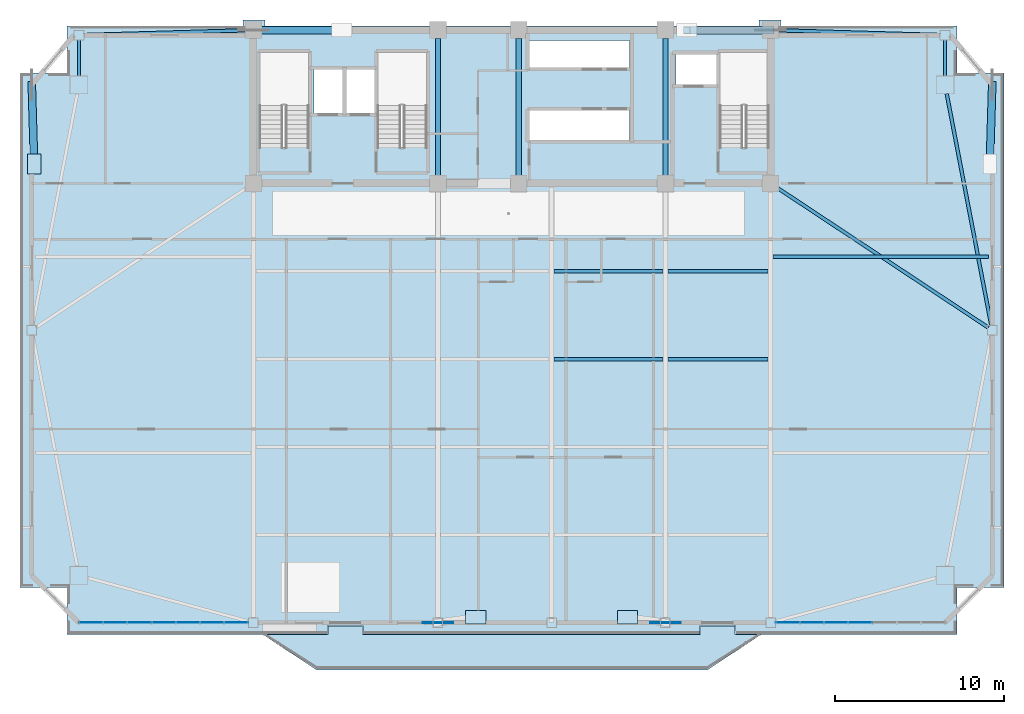
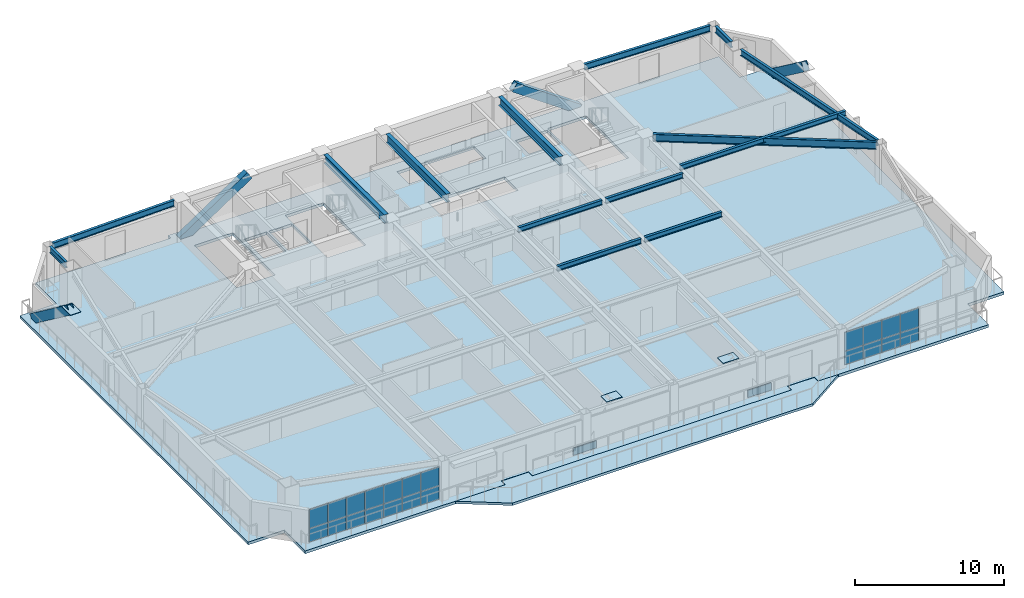
# One storey, part 7 of 17: 27 plates, 14 beams, 4 members, 2 slabs, 2 elements without a shape of their own.
"""IFC4 building model written with IfcOpenShell, lengths in metres."""

from ifc_helpers import new_model, si_unit, direction, frame, origin, origin_2d, place, context, subcontext, project, spatial, polyline, rectangle, hollow_rectangle, i_section, outline, extrude, source, transform, mapped, material, layer, layer_set, material_profile, profile_set, type_object, element, aggregate, save


model = new_model("IFC4")

# Units and contexts
model_context = context("Model", 3, precision=1e-05, world=origin(), true_north=direction((0.0, 1.0)))
body_context = subcontext(model_context, "Body", "Model", "MODEL_VIEW")
ifc_project = project(units=[si_unit("LENGTHUNIT", "METRE"), si_unit("AREAUNIT", "SQUARE_METRE"), si_unit("VOLUMEUNIT", "CUBIC_METRE"), si_unit("PLANEANGLEUNIT", "RADIAN"), si_unit("MASSUNIT", "GRAM", prefix="KILO")], contexts=[model_context])

# Site, building, storey
site_placement = place(None, origin())
site = spatial("IfcSite", under=ifc_project, at=site_placement, CompositionType="ELEMENT")
building_placement = place(site_placement, origin())
building = spatial("IfcBuilding", under=site, at=building_placement, Name="Giltprow Tower", CompositionType="ELEMENT")
storey_placement = place(building_placement, frame((0.0, 0.0, 202.699951171875)))
storey = spatial("IfcBuildingStorey", under=building, at=storey_placement, Name="L51", CompositionType="ELEMENT", Elevation=202.699951171875)

# Beams
ifc_material_1 = material(Name="Structural steel Q355B", Category="steel")
ifc_material_profile_1 = material_profile(ifc_material_1, i_section(OverallWidth=0.300048828125, OverallDepth=0.699951171875, WebThickness=0.012939453125, FlangeThickness=0.02392578125, at=origin_2d()), Name="HN 700x300x13x24")
ifc_profile_set_1 = profile_set([ifc_material_profile_1], Name="Structural steel Q355B")
beam_type_1 = type_object("IfcBeamType", Name="BM-GIRD-HN700", PredefinedType="BEAM", material=ifc_profile_set_1)
shared_shape_1 = source(origin(), body_context, "Body", "SweptSolid", [
    extrude(i_section(OverallWidth=0.300048828125, OverallDepth=0.699951171875, WebThickness=0.012939453125, FlangeThickness=0.02392578125, at=origin_2d()), origin(), (0.0, 0.0, 1.0), 8.1298828125),
])
for number, where, z_axis, x_axis, name in (
    (1, (30.800048828125, 37.93505859375, 2.920166015625), (0.0, 1.0, 0.0), (-1.0, 0.0, 0.0), "L51 Core Tie Girder M1"),
    (2, (35.60009765625, 37.93505859375, 2.920166015625), (0.0, 1.0, 0.0), (-1.0, 0.0, 0.0), "L51 Core Tie Girder M2"),
    (3, (44.300048828125, 37.93505859375, 2.920166015625), (0.0, 1.0, 0.0), (-1.0, 0.0, 0.0), "L51 Core Tie Girder M3"),
):
    element("IfcBeam", number, at=place(storey_placement, frame(where, z_axis=z_axis, x_axis=x_axis)), inside=storey, type_object=beam_type_1, Name=name, PredefinedType="BEAM", context=body_context, shape_type="MappedRepresentation", body=[
        mapped(shared_shape_1, transform((0.0, 0.0, 0.0), x_axis=(1.0, 0.0, 0.0), y_axis=(0.0, 1.0, 0.0), z_axis=(0.0, 0.0, 1.0), scale=1.0)),
    ])
ifc_material_profile_2 = material_profile(ifc_material_1, i_section(OverallWidth=0.199951171875, OverallDepth=0.5, WebThickness=0.010009765625, FlangeThickness=0.01611328125, at=origin_2d()), Name="HN 500x200x10x16")
ifc_profile_set_2 = profile_set([ifc_material_profile_2], Name="Structural steel Q355B")
beam_type_2 = type_object("IfcBeamType", Name="BM-SPAN-HN500", PredefinedType="SPANDREL", material=ifc_profile_set_2)
shared_shape_2 = source(origin(), body_context, "Body", "SweptSolid", [
    extrude(i_section(OverallWidth=0.199951171875, OverallDepth=0.5, WebThickness=0.010009765625, FlangeThickness=0.01611328125, at=origin_2d()), origin(), (0.0, 0.0, 1.0), 14.00390625),
])
beam_1_placement = place(storey_placement, frame((63.64404296875, 29.02294921875, 3.02001953125), z_axis=(-0.188875844444, 0.982000975247, 0.0), x_axis=(-0.982000975247, -0.188875844444, 0.0)))
element("IfcBeam", 4, at=beam_1_placement, inside=storey, type_object=beam_type_2, Name="L51 Perimeter Spandrel Beam E_MID-MC_NE", PredefinedType="SPANDREL", context=body_context, shape_type="MappedRepresentation", body=[
    mapped(shared_shape_2, transform((0.0, 0.0, 0.0), x_axis=(1.0, 0.0, 0.0), y_axis=(0.0, 1.0, 0.0), z_axis=(0.0, 0.0, 1.0), scale=1.0)),
])
shared_shape_3 = source(origin(), body_context, "Body", "SweptSolid", [
    extrude(i_section(OverallWidth=0.199951171875, OverallDepth=0.5, WebThickness=0.010009765625, FlangeThickness=0.01611328125, at=origin_2d()), origin(), (0.0, 0.0, 1.0), 2.130126953125),
])
for number, where, z_axis, x_axis, name in (
    (5, (60.89794921875, 43.8349609375, 3.02001953125), (0.0, 1.0, 0.0), (-1.0, 0.0, 0.0), "L51 Perimeter Spandrel Beam MC_NE-N_E"),
    (6, (9.5029296875, 45.965087890625, 3.02001953125), (0.0, -1.0, 0.0), (1.0, 0.0, 0.0), "L51 Perimeter Spandrel Beam N_W-MC_NW"),
):
    element("IfcBeam", number, at=place(storey_placement, frame(where, z_axis=z_axis, x_axis=x_axis)), inside=storey, type_object=beam_type_2, Name=name, PredefinedType="SPANDREL", context=body_context, shape_type="MappedRepresentation", body=[
        mapped(shared_shape_3, transform((0.0, 0.0, 0.0), x_axis=(1.0, 0.0, 0.0), y_axis=(0.0, 1.0, 0.0), z_axis=(0.0, 0.0, 1.0), scale=1.0)),
    ])
shared_shape_4 = source(origin(), body_context, "Body", "SweptSolid", [
    extrude(i_section(OverallWidth=0.199951171875, OverallDepth=0.5, WebThickness=0.010009765625, FlangeThickness=0.01611328125, at=origin_2d()), origin(), (0.0, 0.0, 1.0), 9.5810546875),
])
beam_2_placement = place(storey_placement, frame((9.7880859375, 46.258056640625, 3.02001953125), z_axis=(0.999579457094, 0.028998430218, 0.0), x_axis=(-0.028998430218, 0.999579457094, 0.0)))
element("IfcBeam", 7, at=beam_2_placement, inside=storey, type_object=beam_type_2, Name="L51 North Wing Spandrel W", PredefinedType="SPANDREL", context=body_context, shape_type="MappedRepresentation", body=[
    mapped(shared_shape_4, transform((0.0, 0.0, 0.0), x_axis=(1.0, 0.0, 0.0), y_axis=(0.0, 1.0, 0.0), z_axis=(0.0, 0.0, 1.0), scale=1.0)),
])
shared_shape_5 = source(origin(), body_context, "Body", "SweptSolid", [
    extrude(i_section(OverallWidth=0.199951171875, OverallDepth=0.5, WebThickness=0.010009765625, FlangeThickness=0.01611328125, at=origin_2d()), origin(), (0.0, 0.0, 1.0), 9.582275390625),
])
beam_3_placement = place(storey_placement, frame((51.034912109375, 46.535888671875, 3.02001953125), z_axis=(0.999579564214, -0.028994737563, 0.0), x_axis=(0.028994737563, 0.999579564214, 0.0)))
element("IfcBeam", 8, at=beam_3_placement, inside=storey, type_object=beam_type_2, Name="L51 North Wing Spandrel E", PredefinedType="SPANDREL", context=body_context, shape_type="MappedRepresentation", body=[
    mapped(shared_shape_5, transform((0.0, 0.0, 0.0), x_axis=(1.0, 0.0, 0.0), y_axis=(0.0, 1.0, 0.0), z_axis=(0.0, 0.0, 1.0), scale=1.0)),
])
ifc_material_profile_3 = material_profile(ifc_material_1, i_section(OverallWidth=0.199951171875, OverallDepth=0.60009765625, WebThickness=0.010986328125, FlangeThickness=0.01708984375, at=origin_2d()), Name="HN 600x200x11x17")
ifc_profile_set_3 = profile_set([ifc_material_profile_3], Name="Structural steel Q355B")
beam_type_3 = type_object("IfcBeamType", Name="BM-GIRD-HN600", PredefinedType="BEAM", material=ifc_profile_set_3)
shared_shape_6 = source(origin(), body_context, "Body", "SweptSolid", [
    extrude(i_section(OverallWidth=0.199951171875, OverallDepth=0.60009765625, WebThickness=0.010986328125, FlangeThickness=0.01708984375, at=origin_2d()), origin(), (0.0, 0.0, 1.0), 14.99951171875),
])
beam_4_placement = place(storey_placement, frame((63.4599609375, 28.89990234375, 2.969970703125), z_axis=(-0.833746652219, 0.552147190442, 0.0), x_axis=(-0.552147190442, -0.833746652219, 0.0)))
element("IfcBeam", 9, at=beam_4_placement, inside=storey, type_object=beam_type_3, Name="L51 East Wing Primary Girder", PredefinedType="BEAM", context=body_context, shape_type="MappedRepresentation", body=[
    mapped(shared_shape_6, transform((0.0, 0.0, 0.0), x_axis=(1.0, 0.0, 0.0), y_axis=(0.0, 1.0, 0.0), z_axis=(0.0, 0.0, 1.0), scale=1.0)),
])
ifc_material_profile_4 = material_profile(ifc_material_1, i_section(OverallWidth=0.199951171875, OverallDepth=0.39990234375, WebThickness=0.008056640625, FlangeThickness=0.012939453125, at=origin_2d()), Name="HN 400x200x8x13")
ifc_profile_set_4 = profile_set([ifc_material_profile_4], Name="Structural steel Q355B")
beam_type_4 = type_object("IfcBeamType", Name="BM-JOIST-HN400", PredefinedType="JOIST", material=ifc_profile_set_4)
shared_shape_7 = source(origin(), body_context, "Body", "SweptSolid", [
    extrude(i_section(OverallWidth=0.199951171875, OverallDepth=0.39990234375, WebThickness=0.008056640625, FlangeThickness=0.012939453125, at=origin_2d()), origin(), (0.0, 0.0, 1.0), 6.4599609375),
])
for number, where, z_axis, x_axis, name in (
    (10, (37.695068359375, 27.02392578125, 3.070068359375), (1.0, 0.0, 0.0), (0.0, 1.0, 0.0), "L51 Composite Floor Joist 3-3"),
    (11, (37.695068359375, 32.237060546875, 3.070068359375), (1.0, 0.0, 0.0), (0.0, 1.0, 0.0), "L51 Composite Floor Joist 4-3"),
):
    element("IfcBeam", number, at=place(storey_placement, frame(where, z_axis=z_axis, x_axis=x_axis)), inside=storey, type_object=beam_type_4, Name=name, PredefinedType="JOIST", context=body_context, shape_type="MappedRepresentation", body=[
        mapped(shared_shape_7, transform((0.0, 0.0, 0.0), x_axis=(1.0, 0.0, 0.0), y_axis=(0.0, 1.0, 0.0), z_axis=(0.0, 0.0, 1.0), scale=1.0)),
    ])
shared_shape_8 = source(origin(), body_context, "Body", "SweptSolid", [
    extrude(i_section(OverallWidth=0.199951171875, OverallDepth=0.39990234375, WebThickness=0.008056640625, FlangeThickness=0.012939453125, at=origin_2d()), origin(), (0.0, 0.0, 1.0), 5.9599609375),
])
for number, where, z_axis, x_axis, name in (
    (12, (44.445068359375, 27.02392578125, 3.070068359375), (1.0, 0.0, 0.0), (0.0, 1.0, 0.0), "L51 Composite Floor Joist 3-4"),
    (13, (44.445068359375, 32.237060546875, 3.070068359375), (1.0, 0.0, 0.0), (0.0, 1.0, 0.0), "L51 Composite Floor Joist 4-4"),
):
    element("IfcBeam", number, at=place(storey_placement, frame(where, z_axis=z_axis, x_axis=x_axis)), inside=storey, type_object=beam_type_4, Name=name, PredefinedType="JOIST", context=body_context, shape_type="MappedRepresentation", body=[
        mapped(shared_shape_8, transform((0.0, 0.0, 0.0), x_axis=(1.0, 0.0, 0.0), y_axis=(0.0, 1.0, 0.0), z_axis=(0.0, 0.0, 1.0), scale=1.0)),
    ])
shared_shape_9 = source(origin(), body_context, "Body", "SweptSolid", [
    extrude(i_section(OverallWidth=0.199951171875, OverallDepth=0.39990234375, WebThickness=0.008056640625, FlangeThickness=0.012939453125, at=origin_2d()), origin(), (0.0, 0.0, 1.0), 12.782958984375),
])
beam_5_placement = place(storey_placement, frame((50.695068359375, 33.095947265625, 3.070068359375), z_axis=(1.0, 0.0, 0.0), x_axis=(0.0, 1.0, 0.0)))
element("IfcBeam", 14, at=beam_5_placement, inside=storey, type_object=beam_type_4, Name="L51 East Wing Floor Joist 2", PredefinedType="JOIST", context=body_context, shape_type="MappedRepresentation", body=[
    mapped(shared_shape_9, transform((0.0, 0.0, 0.0), x_axis=(1.0, 0.0, 0.0), y_axis=(0.0, 1.0, 0.0), z_axis=(0.0, 0.0, 1.0), scale=1.0)),
])

# Members
ifc_material_2 = material(Name="Structural steel Q420GJC", Category="steel")
ifc_material_profile_5 = material_profile(ifc_material_2, hollow_rectangle(XDim=0.449951171875, YDim=0.699951171875, WallThickness=0.031982421875, at=origin_2d()), Name="RHS 700x450x32")
ifc_profile_set_5 = profile_set([ifc_material_profile_5], Name="Structural steel Q420GJC")
member_type = type_object("IfcMemberType", Name="MBR-MEGA-RHS700", PredefinedType="BRACE", material=ifc_profile_set_5)
shared_shape_10 = source(origin(), body_context, "Body", "SweptSolid", [
    extrude(hollow_rectangle(XDim=0.449951171875, YDim=0.699951171875, WallThickness=0.031982421875, at=origin_2d()), origin(), (0.0, 0.0, 1.0), 6.309814453125),
])
member_1_placement = place(storey_placement, frame((19.85009765625, 46.550048828125, -0.139892578125), z_axis=(0.832050294338, 0.0, 0.554700196225), x_axis=(0.0, 1.0, 0.0)))
element("IfcMember", 15, at=member_1_placement, inside=storey, type_object=member_type, Name="L51 Chevron Mega-Brace N-L", PredefinedType="BRACE", context=body_context, shape_type="MappedRepresentation", body=[
    mapped(shared_shape_10, transform((0.0, 0.0, 0.0), x_axis=(1.0, 0.0, 0.0), y_axis=(0.0, 1.0, 0.0), z_axis=(0.0, 0.0, 1.0), scale=1.0)),
])
shared_shape_11 = source(origin(), body_context, "Body", "SweptSolid", [
    extrude(hollow_rectangle(XDim=0.449951171875, YDim=0.699951171875, WallThickness=0.031982421875, at=origin_2d()), origin(), (0.0, 0.0, 1.0), 6.089599609375),
])
member_2_placement = place(storey_placement, frame((50.550048828125, 46.550048828125, -0.139892578125), z_axis=(-0.818321147337, 0.0, 0.574761254628), x_axis=(0.0, -1.0, 0.0)))
element("IfcMember", 16, at=member_2_placement, inside=storey, type_object=member_type, Name="L51 Chevron Mega-Brace N-R", PredefinedType="BRACE", context=body_context, shape_type="MappedRepresentation", body=[
    mapped(shared_shape_11, transform((0.0, 0.0, 0.0), x_axis=(1.0, 0.0, 0.0), y_axis=(0.0, 1.0, 0.0), z_axis=(0.0, 0.0, 1.0), scale=1.0)),
])
shared_shape_12 = source(origin(), body_context, "Body", "SweptSolid", [
    extrude(hollow_rectangle(XDim=0.449951171875, YDim=0.699951171875, WallThickness=0.031982421875, at=origin_2d()), origin(), (0.0, 0.0, 1.0), 5.859375),
])
for number, where, z_axis, x_axis, name in (
    (17, (6.702880859375, 43.300048828125, 0.0), (0.023583735141, -0.801638657896, 0.597343510556), (0.999567529909, 0.029406685479, 0.0), "L51 Chevron Mega-Brace W-R"),
    (18, (63.697998046875, 43.300048828125, 0.0), (-0.023708667192, -0.801636288399, 0.597341744918), (0.999562936284, -0.029562415445, 0.0), "L51 Chevron Mega-Brace E-R"),
):
    element("IfcMember", number, at=place(storey_placement, frame(where, z_axis=z_axis, x_axis=x_axis)), inside=storey, type_object=member_type, Name=name, PredefinedType="BRACE", context=body_context, shape_type="MappedRepresentation", body=[
        mapped(shared_shape_12, transform((0.0, 0.0, 0.0), x_axis=(1.0, 0.0, 0.0), y_axis=(0.0, 1.0, 0.0), z_axis=(0.0, 0.0, 1.0), scale=1.0)),
    ])

# Slabs
ifc_material_3 = material(Name="Concrete C40", Category="concrete")
ifc_layer_1 = layer(ifc_material_3, 0.199951171875, Name="Concrete C40")
ifc_layer_set_1 = layer_set([ifc_layer_1], Name="Concrete C40")
slab_type_1 = type_object("IfcSlabType", Name="SLB-BALC-BRONZE-200", PredefinedType="FLOOR", material=ifc_layer_set_1)
slab_1_placement = place(storey_placement, frame((0.0, 0.0, -0.199951171875)))
element("IfcSlab", 19, at=slab_1_placement, inside=storey, type_object=slab_type_1, Name="L51 Bronze Prow Waterfront Balcony Slab", PredefinedType="FLOOR", context=body_context, shape_type="SweptSolid", body=[
    extrude(outline(polyline([(50.0, 10.68603515625), (46.800048828125, 8.5859375), (23.60009765625, 8.5859375), (20.39990234375, 10.68603515625), (24.280029296875, 10.68603515625), (24.280029296875, 11.18603515625), (26.320068359375, 11.18603515625), (26.320068359375, 10.68603515625), (46.3798828125, 10.68603515625), (46.3798828125, 11.18603515625), (48.419921875, 11.18603515625), (48.419921875, 10.68603515625), (50.0, 10.68603515625)])), origin(), (0.0, 0.0, 1.0), 0.199951171875),
])
ifc_layer_2 = layer(ifc_material_3, 0.22998046875, Name="Concrete C40")
ifc_layer_set_2 = layer_set([ifc_layer_2], Name="Concrete C40")
slab_type_2 = type_object("IfcSlabType", Name="SLB-HTL-230", PredefinedType="FLOOR", material=ifc_layer_set_2)
slab_2_placement = place(storey_placement, frame((0.0, 0.0, -0.22998046875)))
element("IfcSlab", 20, at=slab_2_placement, inside=storey, type_object=slab_type_2, Name="L51 Structural Composite Floor Slab", PredefinedType="FLOOR", context=body_context, shape_type="SweptSolid", body=[
    extrude(outline(polyline([(64.39794921875, 44.0), (64.39794921875, 13.486083984375), (61.597900390625, 13.486083984375), (61.597900390625, 10.68603515625), (48.449951171875, 10.68603515625), (48.449951171875, 11.2060546875), (46.35009765625, 11.2060546875), (46.35009765625, 10.68603515625), (26.35009765625, 10.68603515625), (26.35009765625, 11.2060546875), (24.25, 11.2060546875), (24.25, 10.68603515625), (8.802978515625, 10.68603515625), (8.802978515625, 13.486083984375), (6.0029296875, 13.486083984375), (6.0029296875, 44.0), (8.802978515625, 44.0), (8.802978515625, 46.800048828125), (19.25, 46.800048828125), (19.25, 47.14990234375), (20.550048828125, 47.14990234375), (20.550048828125, 46.800048828125), (49.85009765625, 46.800048828125), (49.85009765625, 47.14990234375), (51.14990234375, 47.14990234375), (51.14990234375, 46.800048828125), (61.597900390625, 46.800048828125), (61.597900390625, 44.0), (64.39794921875, 44.0)]), holes=[polyline([(42.169921875, 41.800048828125), (36.239990234375, 41.800048828125), (36.239990234375, 40.0), (42.169921875, 40.0), (42.169921875, 41.800048828125)]), polyline([(23.159912109375, 39.570068359375), (23.159912109375, 45.25), (20.199951171875, 45.25), (20.199951171875, 39.570068359375), (23.159912109375, 39.570068359375)]), polyline([(30.159912109375, 39.570068359375), (30.159912109375, 45.25), (27.199951171875, 45.25), (27.199951171875, 39.570068359375), (30.159912109375, 39.570068359375)]), polyline([(50.4599609375, 45.25), (47.5, 45.25), (47.5, 39.570068359375), (50.4599609375, 39.570068359375), (50.4599609375, 45.25)]), polyline([(25.169921875, 44.199951171875), (23.449951171875, 44.199951171875), (23.449951171875, 41.60009765625), (25.169921875, 41.60009765625), (25.169921875, 44.199951171875)]), polyline([(27.10009765625, 44.199951171875), (25.35009765625, 44.199951171875), (25.35009765625, 41.60009765625), (27.10009765625, 41.60009765625), (27.10009765625, 44.199951171875)]), polyline([(47.3798828125, 43.300048828125), (47.3798828125, 45.10009765625), (44.919921875, 45.10009765625), (44.919921875, 43.300048828125), (47.3798828125, 43.300048828125)]), polyline([(42.169921875, 44.300048828125), (42.169921875, 45.919921875), (36.239990234375, 45.919921875), (36.239990234375, 44.300048828125), (42.169921875, 44.300048828125)])]), origin(), (0.0, 0.0, 1.0), 0.22998046875),
])

# Plates
plate_type_1 = type_object("IfcPlateType", Name="PLT-NODE-MBN1", PredefinedType="USERDEFINED", material=ifc_material_2)
shared_shape_13 = source(origin(), body_context, "Body", "SweptSolid", [
    extrude(rectangle(XDim=1.800048828125, YDim=0.050048828125, at=origin_2d()), origin(), (0.0, 0.0, 1.0), 1.14990234375),
])
for number, where, z_axis, x_axis, name in (
    (21, (30.800048828125, 11.385986328125, -0.574951171875), (0.0, 0.0, 1.0), (1.0, 0.0, 0.0), "Mega-Brace Node L51-S-LA"),
    (22, (44.300048828125, 11.385986328125, -0.574951171875), (0.0, 0.0, 1.0), (1.0, 0.0, 0.0), "Mega-Brace Node L51-S-RA"),
):
    element("IfcPlate", number, at=place(storey_placement, frame(where, z_axis=z_axis, x_axis=x_axis)), inside=storey, type_object=plate_type_1, Name=name, ObjectType="GUSSET", PredefinedType="USERDEFINED", context=body_context, shape_type="MappedRepresentation", body=[
        mapped(shared_shape_13, transform((0.0, 0.0, 0.0), x_axis=(1.0, 0.0, 0.0), y_axis=(0.0, 1.0, 0.0), z_axis=(0.0, 0.0, 1.0), scale=1.0)),
    ])
plate_type_2 = type_object("IfcPlateType", Name="PLT-CAP-SEAL", PredefinedType="USERDEFINED", material=ifc_material_2)
shared_shape_14 = source(origin(), body_context, "Body", "SweptSolid", [
    extrude(rectangle(XDim=1.199951171875, YDim=0.800048828125, at=origin_2d()), origin(), (0.0, 0.0, 1.0), 0.034912109375),
])
for number, where, z_axis, x_axis, name in (
    (23, (33.050048828125, 11.697021484375, 3.482421875), (0.0, 0.0, 1.0), (1.0, 0.0, 0.0), "Mega-Brace Node L51-S-LB"),
    (24, (42.050048828125, 11.697021484375, 3.482421875), (0.0, 0.0, 1.0), (1.0, 0.0, 0.0), "Mega-Brace Node L51-S-RB"),
    (25, (6.841064453125, 38.60302734375, 3.482421875), (0.0, 0.0, 1.0), (0.0, 1.0, 0.0), "Mega-Brace Node L51-W-RB"),
):
    element("IfcPlate", number, at=place(storey_placement, frame(where, z_axis=z_axis, x_axis=x_axis)), inside=storey, type_object=plate_type_2, Name=name, ObjectType="SPLICE", PredefinedType="USERDEFINED", context=body_context, shape_type="MappedRepresentation", body=[
        mapped(shared_shape_14, transform((0.0, 0.0, 0.0), x_axis=(1.0, 0.0, 0.0), y_axis=(0.0, 1.0, 0.0), z_axis=(0.0, 0.0, 1.0), scale=1.0)),
    ])

# Curtain wall, plates
ifc_material_4 = material(Name="Anodized bronze", Category="metal")
ifc_layer_3 = layer(ifc_material_4, 0.179931640625, Name="Anodized bronze")
ifc_layer_set_3 = layer_set([ifc_layer_3], Name="Anodized bronze")
curtain_wall_type = type_object("IfcCurtainWallType", Name="CW-HTL-BRONZE", PredefinedType="NOTDEFINED", material=ifc_layer_set_3)
curtain_wall_1_placement = place(storey_placement, origin())
curtain_wall_1 = element("IfcCurtainWall", 26, at=curtain_wall_1_placement, inside=storey, type_object=curtain_wall_type, Name="L51 South Recessed Curtain Wall 1", PredefinedType="NOTDEFINED")
ifc_material_5 = material(Name="Insulated glass", Category="glass")
plate_type_3 = type_object("IfcPlateType", Name="CW-PANEL-IGU-28", PredefinedType="CURTAIN_PANEL", material=ifc_material_5)
shared_shape_15 = source(origin(), body_context, "Body", "SweptSolid", [
    extrude(rectangle(XDim=1.405029296875, YDim=0.028076171875, at=origin_2d()), origin(), (0.0, 0.0, 1.0), 1.0869140625),
])
plate_1_placement = place(storey_placement, frame((10.220947265625, 11.385986328125, 0.0546875), z_axis=(0.0, 0.0, 1.0), x_axis=(1.0, 0.0, 0.0)))
plate_1 = element("IfcPlate", 27, at=plate_1_placement, type_object=plate_type_3, Name="L51 South Recessed Curtain Wall 1 Glazing Panel 1-1", PredefinedType="CURTAIN_PANEL", context=body_context, shape_type="MappedRepresentation", body=[
    mapped(shared_shape_15, transform((0.0, 0.0, 0.0), x_axis=(1.0, 0.0, 0.0), y_axis=(0.0, 1.0, 0.0), z_axis=(0.0, 0.0, 1.0), scale=1.0)),
])
plate_2_placement = place(storey_placement, frame((11.656005859375, 11.385986328125, 0.0546875), z_axis=(0.0, 0.0, 1.0), x_axis=(1.0, 0.0, 0.0)))
plate_2 = element("IfcPlate", 28, at=plate_2_placement, type_object=plate_type_3, Name="L51 South Recessed Curtain Wall 1 Glazing Panel 2-1", PredefinedType="CURTAIN_PANEL", context=body_context, shape_type="MappedRepresentation", body=[
    mapped(shared_shape_15, transform((0.0, 0.0, 0.0), x_axis=(1.0, 0.0, 0.0), y_axis=(0.0, 1.0, 0.0), z_axis=(0.0, 0.0, 1.0), scale=1.0)),
])
plate_3_placement = place(storey_placement, frame((13.091064453125, 11.385986328125, 0.0546875), z_axis=(0.0, 0.0, 1.0), x_axis=(1.0, 0.0, 0.0)))
plate_3 = element("IfcPlate", 29, at=plate_3_placement, type_object=plate_type_3, Name="L51 South Recessed Curtain Wall 1 Glazing Panel 3-1", PredefinedType="CURTAIN_PANEL", context=body_context, shape_type="MappedRepresentation", body=[
    mapped(shared_shape_15, transform((0.0, 0.0, 0.0), x_axis=(1.0, 0.0, 0.0), y_axis=(0.0, 1.0, 0.0), z_axis=(0.0, 0.0, 1.0), scale=1.0)),
])
plate_4_placement = place(storey_placement, frame((14.527099609375, 11.385986328125, 0.0546875), z_axis=(0.0, 0.0, 1.0), x_axis=(1.0, 0.0, 0.0)))
plate_4 = element("IfcPlate", 30, at=plate_4_placement, type_object=plate_type_3, Name="L51 South Recessed Curtain Wall 1 Glazing Panel 4-1", PredefinedType="CURTAIN_PANEL", context=body_context, shape_type="MappedRepresentation", body=[
    mapped(shared_shape_15, transform((0.0, 0.0, 0.0), x_axis=(1.0, 0.0, 0.0), y_axis=(0.0, 1.0, 0.0), z_axis=(0.0, 0.0, 1.0), scale=1.0)),
])
plate_5_placement = place(storey_placement, frame((15.9619140625, 11.385986328125, 0.0546875), z_axis=(0.0, 0.0, 1.0), x_axis=(1.0, 0.0, 0.0)))
plate_5 = element("IfcPlate", 31, at=plate_5_placement, type_object=plate_type_3, Name="L51 South Recessed Curtain Wall 1 Glazing Panel 5-1", PredefinedType="CURTAIN_PANEL", context=body_context, shape_type="MappedRepresentation", body=[
    mapped(shared_shape_15, transform((0.0, 0.0, 0.0), x_axis=(1.0, 0.0, 0.0), y_axis=(0.0, 1.0, 0.0), z_axis=(0.0, 0.0, 1.0), scale=1.0)),
])
plate_6_placement = place(storey_placement, frame((17.39697265625, 11.385986328125, 0.0546875), z_axis=(0.0, 0.0, 1.0), x_axis=(1.0, 0.0, 0.0)))
plate_6 = element("IfcPlate", 32, at=plate_6_placement, type_object=plate_type_3, Name="L51 South Recessed Curtain Wall 1 Glazing Panel 6-1", PredefinedType="CURTAIN_PANEL", context=body_context, shape_type="MappedRepresentation", body=[
    mapped(shared_shape_15, transform((0.0, 0.0, 0.0), x_axis=(1.0, 0.0, 0.0), y_axis=(0.0, 1.0, 0.0), z_axis=(0.0, 0.0, 1.0), scale=1.0)),
])
plate_7_placement = place(storey_placement, frame((18.83203125, 11.385986328125, 0.0546875), z_axis=(0.0, 0.0, 1.0), x_axis=(1.0, 0.0, 0.0)))
plate_7 = element("IfcPlate", 33, at=plate_7_placement, type_object=plate_type_3, Name="L51 South Recessed Curtain Wall 1 Glazing Panel 7-1", PredefinedType="CURTAIN_PANEL", context=body_context, shape_type="MappedRepresentation", body=[
    mapped(shared_shape_15, transform((0.0, 0.0, 0.0), x_axis=(1.0, 0.0, 0.0), y_axis=(0.0, 1.0, 0.0), z_axis=(0.0, 0.0, 1.0), scale=1.0)),
])

curtain_wall_2_placement = place(storey_placement, origin())
curtain_wall_2 = element("IfcCurtainWall", 34, at=curtain_wall_2_placement, inside=storey, type_object=curtain_wall_type, Name="L51 South Recessed Curtain Wall 6", PredefinedType="NOTDEFINED")
plate_8_placement = place(storey_placement, frame((51.568115234375, 11.385986328125, 0.0546875), z_axis=(0.0, 0.0, 1.0), x_axis=(1.0, 0.0, 0.0)))
plate_8 = element("IfcPlate", 35, at=plate_8_placement, type_object=plate_type_3, Name="L51 South Recessed Curtain Wall 6 Glazing Panel 1-1", PredefinedType="CURTAIN_PANEL", context=body_context, shape_type="MappedRepresentation", body=[
    mapped(shared_shape_15, transform((0.0, 0.0, 0.0), x_axis=(1.0, 0.0, 0.0), y_axis=(0.0, 1.0, 0.0), z_axis=(0.0, 0.0, 1.0), scale=1.0)),
])
plate_9_placement = place(storey_placement, frame((53.0029296875, 11.385986328125, 0.0546875), z_axis=(0.0, 0.0, 1.0), x_axis=(1.0, 0.0, 0.0)))
plate_9 = element("IfcPlate", 36, at=plate_9_placement, type_object=plate_type_3, Name="L51 South Recessed Curtain Wall 6 Glazing Panel 2-1", PredefinedType="CURTAIN_PANEL", context=body_context, shape_type="MappedRepresentation", body=[
    mapped(shared_shape_15, transform((0.0, 0.0, 0.0), x_axis=(1.0, 0.0, 0.0), y_axis=(0.0, 1.0, 0.0), z_axis=(0.0, 0.0, 1.0), scale=1.0)),
])
plate_10_placement = place(storey_placement, frame((54.43896484375, 11.385986328125, 0.0546875), z_axis=(0.0, 0.0, 1.0), x_axis=(1.0, 0.0, 0.0)))
plate_10 = element("IfcPlate", 37, at=plate_10_placement, type_object=plate_type_3, Name="L51 South Recessed Curtain Wall 6 Glazing Panel 3-1", PredefinedType="CURTAIN_PANEL", context=body_context, shape_type="MappedRepresentation", body=[
    mapped(shared_shape_15, transform((0.0, 0.0, 0.0), x_axis=(1.0, 0.0, 0.0), y_axis=(0.0, 1.0, 0.0), z_axis=(0.0, 0.0, 1.0), scale=1.0)),
])
plate_11_placement = place(storey_placement, frame((55.8740234375, 11.385986328125, 0.0546875), z_axis=(0.0, 0.0, 1.0), x_axis=(1.0, 0.0, 0.0)))
plate_11 = element("IfcPlate", 38, at=plate_11_placement, type_object=plate_type_3, Name="L51 South Recessed Curtain Wall 6 Glazing Panel 4-1", PredefinedType="CURTAIN_PANEL", context=body_context, shape_type="MappedRepresentation", body=[
    mapped(shared_shape_15, transform((0.0, 0.0, 0.0), x_axis=(1.0, 0.0, 0.0), y_axis=(0.0, 1.0, 0.0), z_axis=(0.0, 0.0, 1.0), scale=1.0)),
])

# Plate
shared_shape_16 = source(origin(), body_context, "Body", "SweptSolid", [
    extrude(rectangle(XDim=1.405029296875, YDim=0.028076171875, at=origin_2d()), origin(), (0.0, 0.0, 1.0), 1.527099609375),
])
plate_12_placement = place(storey_placement, frame((10.220947265625, 11.385986328125, 1.16845703125), z_axis=(0.0, 0.0, 1.0), x_axis=(1.0, 0.0, 0.0)))
plate_12 = element("IfcPlate", 39, at=plate_12_placement, type_object=plate_type_3, Name="L51 South Recessed Curtain Wall 1 Glazing Panel 1-2", PredefinedType="CURTAIN_PANEL", context=body_context, shape_type="MappedRepresentation", body=[
    mapped(shared_shape_16, transform((0.0, 0.0, 0.0), x_axis=(1.0, 0.0, 0.0), y_axis=(0.0, 1.0, 0.0), z_axis=(0.0, 0.0, 1.0), scale=1.0)),
])

plate_13_placement = place(storey_placement, frame((11.656005859375, 11.385986328125, 1.16845703125), z_axis=(0.0, 0.0, 1.0), x_axis=(1.0, 0.0, 0.0)))
plate_13 = element("IfcPlate", 40, at=plate_13_placement, type_object=plate_type_3, Name="L51 South Recessed Curtain Wall 1 Glazing Panel 2-2", PredefinedType="CURTAIN_PANEL", context=body_context, shape_type="MappedRepresentation", body=[
    mapped(shared_shape_16, transform((0.0, 0.0, 0.0), x_axis=(1.0, 0.0, 0.0), y_axis=(0.0, 1.0, 0.0), z_axis=(0.0, 0.0, 1.0), scale=1.0)),
])

plate_14_placement = place(storey_placement, frame((13.091064453125, 11.385986328125, 1.16845703125), z_axis=(0.0, 0.0, 1.0), x_axis=(1.0, 0.0, 0.0)))
plate_14 = element("IfcPlate", 41, at=plate_14_placement, type_object=plate_type_3, Name="L51 South Recessed Curtain Wall 1 Glazing Panel 3-2", PredefinedType="CURTAIN_PANEL", context=body_context, shape_type="MappedRepresentation", body=[
    mapped(shared_shape_16, transform((0.0, 0.0, 0.0), x_axis=(1.0, 0.0, 0.0), y_axis=(0.0, 1.0, 0.0), z_axis=(0.0, 0.0, 1.0), scale=1.0)),
])

plate_15_placement = place(storey_placement, frame((14.527099609375, 11.385986328125, 1.16845703125), z_axis=(0.0, 0.0, 1.0), x_axis=(1.0, 0.0, 0.0)))
plate_15 = element("IfcPlate", 42, at=plate_15_placement, type_object=plate_type_3, Name="L51 South Recessed Curtain Wall 1 Glazing Panel 4-2", PredefinedType="CURTAIN_PANEL", context=body_context, shape_type="MappedRepresentation", body=[
    mapped(shared_shape_16, transform((0.0, 0.0, 0.0), x_axis=(1.0, 0.0, 0.0), y_axis=(0.0, 1.0, 0.0), z_axis=(0.0, 0.0, 1.0), scale=1.0)),
])

plate_16_placement = place(storey_placement, frame((15.9619140625, 11.385986328125, 1.16845703125), z_axis=(0.0, 0.0, 1.0), x_axis=(1.0, 0.0, 0.0)))
plate_16 = element("IfcPlate", 43, at=plate_16_placement, type_object=plate_type_3, Name="L51 South Recessed Curtain Wall 1 Glazing Panel 5-2", PredefinedType="CURTAIN_PANEL", context=body_context, shape_type="MappedRepresentation", body=[
    mapped(shared_shape_16, transform((0.0, 0.0, 0.0), x_axis=(1.0, 0.0, 0.0), y_axis=(0.0, 1.0, 0.0), z_axis=(0.0, 0.0, 1.0), scale=1.0)),
])

plate_17_placement = place(storey_placement, frame((17.39697265625, 11.385986328125, 1.16845703125), z_axis=(0.0, 0.0, 1.0), x_axis=(1.0, 0.0, 0.0)))
plate_17 = element("IfcPlate", 44, at=plate_17_placement, type_object=plate_type_3, Name="L51 South Recessed Curtain Wall 1 Glazing Panel 6-2", PredefinedType="CURTAIN_PANEL", context=body_context, shape_type="MappedRepresentation", body=[
    mapped(shared_shape_16, transform((0.0, 0.0, 0.0), x_axis=(1.0, 0.0, 0.0), y_axis=(0.0, 1.0, 0.0), z_axis=(0.0, 0.0, 1.0), scale=1.0)),
])

plate_18_placement = place(storey_placement, frame((18.83203125, 11.385986328125, 1.16845703125), z_axis=(0.0, 0.0, 1.0), x_axis=(1.0, 0.0, 0.0)))
plate_18 = element("IfcPlate", 45, at=plate_18_placement, type_object=plate_type_3, Name="L51 South Recessed Curtain Wall 1 Glazing Panel 7-2", PredefinedType="CURTAIN_PANEL", context=body_context, shape_type="MappedRepresentation", body=[
    mapped(shared_shape_16, transform((0.0, 0.0, 0.0), x_axis=(1.0, 0.0, 0.0), y_axis=(0.0, 1.0, 0.0), z_axis=(0.0, 0.0, 1.0), scale=1.0)),
])

aggregate(curtain_wall_1, [plate_1, plate_12, plate_2, plate_13, plate_3, plate_14, plate_4, plate_15, plate_5, plate_16, plate_6, plate_17, plate_7, plate_18])

plate_19_placement = place(storey_placement, frame((51.568115234375, 11.385986328125, 1.16845703125), z_axis=(0.0, 0.0, 1.0), x_axis=(1.0, 0.0, 0.0)))
plate_19 = element("IfcPlate", 46, at=plate_19_placement, type_object=plate_type_3, Name="L51 South Recessed Curtain Wall 6 Glazing Panel 1-2", PredefinedType="CURTAIN_PANEL", context=body_context, shape_type="MappedRepresentation", body=[
    mapped(shared_shape_16, transform((0.0, 0.0, 0.0), x_axis=(1.0, 0.0, 0.0), y_axis=(0.0, 1.0, 0.0), z_axis=(0.0, 0.0, 1.0), scale=1.0)),
])

plate_20_placement = place(storey_placement, frame((53.0029296875, 11.385986328125, 1.16845703125), z_axis=(0.0, 0.0, 1.0), x_axis=(1.0, 0.0, 0.0)))
plate_20 = element("IfcPlate", 47, at=plate_20_placement, type_object=plate_type_3, Name="L51 South Recessed Curtain Wall 6 Glazing Panel 2-2", PredefinedType="CURTAIN_PANEL", context=body_context, shape_type="MappedRepresentation", body=[
    mapped(shared_shape_16, transform((0.0, 0.0, 0.0), x_axis=(1.0, 0.0, 0.0), y_axis=(0.0, 1.0, 0.0), z_axis=(0.0, 0.0, 1.0), scale=1.0)),
])

plate_21_placement = place(storey_placement, frame((54.43896484375, 11.385986328125, 1.16845703125), z_axis=(0.0, 0.0, 1.0), x_axis=(1.0, 0.0, 0.0)))
plate_21 = element("IfcPlate", 48, at=plate_21_placement, type_object=plate_type_3, Name="L51 South Recessed Curtain Wall 6 Glazing Panel 3-2", PredefinedType="CURTAIN_PANEL", context=body_context, shape_type="MappedRepresentation", body=[
    mapped(shared_shape_16, transform((0.0, 0.0, 0.0), x_axis=(1.0, 0.0, 0.0), y_axis=(0.0, 1.0, 0.0), z_axis=(0.0, 0.0, 1.0), scale=1.0)),
])

plate_22_placement = place(storey_placement, frame((55.8740234375, 11.385986328125, 1.16845703125), z_axis=(0.0, 0.0, 1.0), x_axis=(1.0, 0.0, 0.0)))
plate_22 = element("IfcPlate", 49, at=plate_22_placement, type_object=plate_type_3, Name="L51 South Recessed Curtain Wall 6 Glazing Panel 4-2", PredefinedType="CURTAIN_PANEL", context=body_context, shape_type="MappedRepresentation", body=[
    mapped(shared_shape_16, transform((0.0, 0.0, 0.0), x_axis=(1.0, 0.0, 0.0), y_axis=(0.0, 1.0, 0.0), z_axis=(0.0, 0.0, 1.0), scale=1.0)),
])

aggregate(curtain_wall_2, [plate_8, plate_19, plate_9, plate_20, plate_10, plate_21, plate_11, plate_22])

save(model, "model.ifc")
